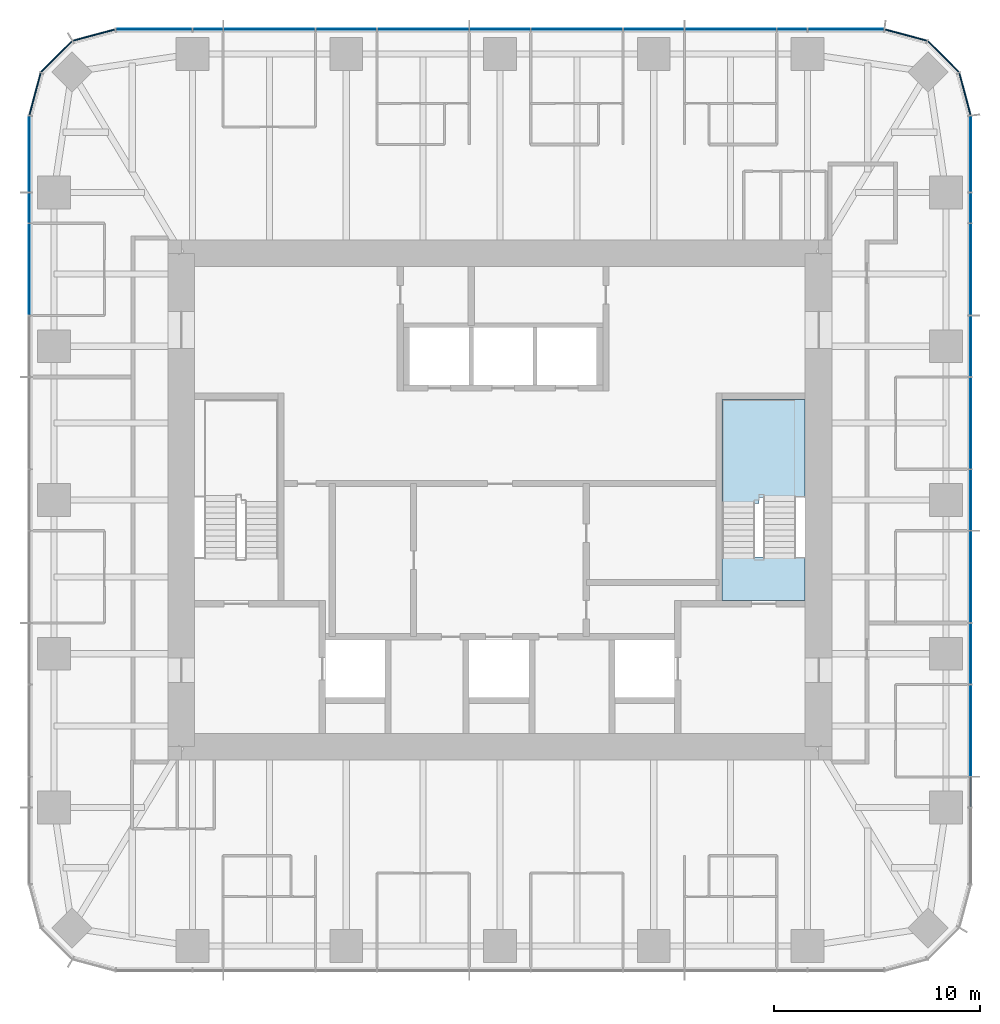
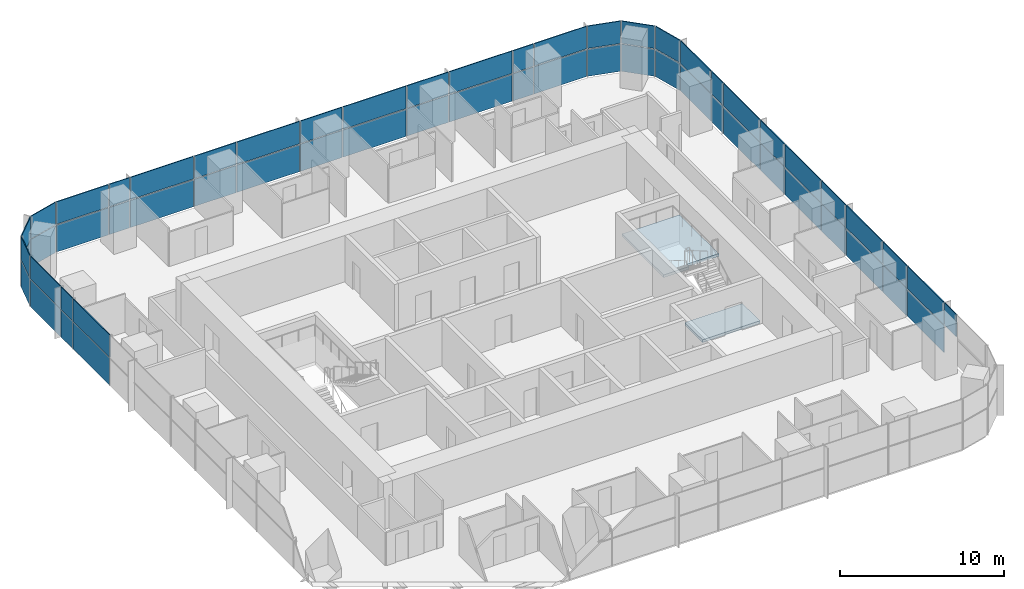
# One storey, part 8 of 13: 59 plates, 2 slabs, 6 elements without a shape of their own.
"""IFC4 building model written with IfcOpenShell, lengths in metres."""

from ifc_helpers import new_model, si_unit, direction, frame, origin, origin_2d, place, context, subcontext, project, spatial, polyline, rectangle, outline, extrude, material, layer, layer_set, type_object, element, aggregate, save


model = new_model("IFC4")

# Units and contexts
model_context = context("Model", 3, precision=1e-05, world=origin(), true_north=direction((0.0, 1.0)))
body_context = subcontext(model_context, "Body", "Model", "MODEL_VIEW")
ifc_project = project(units=[si_unit("LENGTHUNIT", "METRE"), si_unit("AREAUNIT", "SQUARE_METRE"), si_unit("VOLUMEUNIT", "CUBIC_METRE"), si_unit("PLANEANGLEUNIT", "RADIAN"), si_unit("MASSUNIT", "GRAM", prefix="KILO")], contexts=[model_context])

# Site, building, storey
site_placement = place(None, origin())
site = spatial("IfcSite", under=ifc_project, at=site_placement, CompositionType="ELEMENT")
building_placement = place(site_placement, origin())
building = spatial("IfcBuilding", under=site, at=building_placement, Name="Khuree Lantern Residences", CompositionType="ELEMENT")
storey_placement = place(building_placement, frame((0.0, 0.0, 349.5)))
storey = spatial("IfcBuildingStorey", under=building, at=storey_placement, Name="L88", CompositionType="ELEMENT", Elevation=349.5)

# Curtain wall, plates
ifc_material_1 = material(Name="Bronze anodised aluminium", Category="aluminium")
curtain_wall_type_1 = type_object("IfcCurtainWallType", Name="CW-T2 TOWER CORNER CURTAIN WALL", PredefinedType="USERDEFINED", material=ifc_material_1)
curtain_wall_1_placement = place(storey_placement, origin())
curtain_wall_1 = element("IfcCurtainWall", 1, at=curtain_wall_1_placement, inside=storey, type_object=curtain_wall_type_1, Name="L88 NORTH-EAST CORNER CURTAIN WALL", ObjectType="Faceted corner curtain wall", PredefinedType="USERDEFINED")
ifc_material_2 = material(Name="Bronze tinted triple glazing", Category="glass")
ifc_layer_1 = layer(ifc_material_2, 0.048095703125)
ifc_layer_set_1 = layer_set([ifc_layer_1], Name="FACET PANEL P4")
plate_type_1 = type_object("IfcPlateType", Name="FACET PANEL P4", PredefinedType="CURTAIN_PANEL", material=ifc_layer_set_1)
plate_1_placement = place(storey_placement, frame((22.619140625, 19.748046875, 0.0), z_axis=(0.0, 0.0, 1.0), x_axis=(-0.2588189146, 0.965925861257, 0.0)))
plate_1 = element("IfcPlate", 2, at=plate_1_placement, type_object=plate_type_1, Name="L88 NORTH-EAST CORNER PANEL 15.1", PredefinedType="CURTAIN_PANEL", context=body_context, shape_type="SweptSolid", body=[
    extrude(rectangle(XDim=2.09814453125, YDim=0.048095703125, at=origin_2d()), origin(), (0.0, 0.0, 1.0), 2.017578125),
])
plate_2_placement = place(storey_placement, frame((21.568603515625, 21.568603515625, 0.0), z_axis=(0.0, 0.0, 1.0), x_axis=(-0.707106781187, 0.707106781187, 0.0)))
plate_2 = element("IfcPlate", 3, at=plate_2_placement, type_object=plate_type_1, Name="L88 NORTH-EAST CORNER PANEL 16.1", PredefinedType="CURTAIN_PANEL", context=body_context, shape_type="SweptSolid", body=[
    extrude(rectangle(XDim=2.093994140625, YDim=0.048095703125, at=origin_2d()), origin(), (0.0, 0.0, 1.0), 2.017578125),
])
plate_3_placement = place(storey_placement, frame((19.748046875, 22.619140625, 0.0), z_axis=(0.0, 0.0, 1.0), x_axis=(-0.965925861257, 0.2588189146, 0.0)))
plate_3 = element("IfcPlate", 4, at=plate_3_placement, type_object=plate_type_1, Name="L88 NORTH-EAST CORNER PANEL 17.1", PredefinedType="CURTAIN_PANEL", context=body_context, shape_type="SweptSolid", body=[
    extrude(rectangle(XDim=2.09814453125, YDim=0.048095703125, at=origin_2d()), origin(), (0.0, 0.0, 1.0), 2.017578125),
])

curtain_wall_2_placement = place(storey_placement, origin())
curtain_wall_2 = element("IfcCurtainWall", 5, at=curtain_wall_2_placement, inside=storey, type_object=curtain_wall_type_1, Name="L88 NORTH-WEST CORNER CURTAIN WALL", ObjectType="Faceted corner curtain wall", PredefinedType="USERDEFINED")
plate_4_placement = place(storey_placement, frame((-19.748046875, 22.619140625, 0.0), z_axis=(0.0, 0.0, 1.0), x_axis=(-0.965925861257, -0.2588189146, 0.0)))
plate_4 = element("IfcPlate", 6, at=plate_4_placement, type_object=plate_type_1, Name="L88 NORTH-WEST CORNER PANEL 29.1", PredefinedType="CURTAIN_PANEL", context=body_context, shape_type="SweptSolid", body=[
    extrude(rectangle(XDim=2.09814453125, YDim=0.048095703125, at=origin_2d()), origin(), (0.0, 0.0, 1.0), 2.017578125),
])
plate_5_placement = place(storey_placement, frame((-21.568603515625, 21.568603515625, 0.0), z_axis=(0.0, 0.0, 1.0), x_axis=(-0.707106781187, -0.707106781187, 0.0)))
plate_5 = element("IfcPlate", 7, at=plate_5_placement, type_object=plate_type_1, Name="L88 NORTH-WEST CORNER PANEL 30.1", PredefinedType="CURTAIN_PANEL", context=body_context, shape_type="SweptSolid", body=[
    extrude(rectangle(XDim=2.093994140625, YDim=0.048095703125, at=origin_2d()), origin(), (0.0, 0.0, 1.0), 2.017578125),
])
plate_6_placement = place(storey_placement, frame((-22.619140625, 19.748046875, 0.0), z_axis=(0.0, 0.0, 1.0), x_axis=(-0.2588189146, -0.965925861257, 0.0)))
plate_6 = element("IfcPlate", 8, at=plate_6_placement, type_object=plate_type_1, Name="L88 NORTH-WEST CORNER PANEL 31.1", PredefinedType="CURTAIN_PANEL", context=body_context, shape_type="SweptSolid", body=[
    extrude(rectangle(XDim=2.09814453125, YDim=0.048095703125, at=origin_2d()), origin(), (0.0, 0.0, 1.0), 2.017578125),
])

curtain_wall_type_2 = type_object("IfcCurtainWallType", Name="CW-T1 TOWER FACE CURTAIN WALL", PredefinedType="USERDEFINED", material=ifc_material_1)
curtain_wall_3_placement = place(storey_placement, origin())
curtain_wall_3 = element("IfcCurtainWall", 9, at=curtain_wall_3_placement, inside=storey, type_object=curtain_wall_type_2, Name="L88 EAST FACE CURTAIN WALL", ObjectType="Stick-built curtain wall", PredefinedType="USERDEFINED")
ifc_material_3 = material(Name="Bronze tinted triple glazing with a ceramic-fritted spandrel band", Category="glass")
ifc_layer_2 = layer(ifc_material_3, 0.048095703125)
ifc_layer_set_2 = layer_set([ifc_layer_2], Name="FIXED LIGHT PANEL P11")
plate_type_2 = type_object("IfcPlateType", Name="FIXED LIGHT PANEL P11", PredefinedType="CURTAIN_PANEL", material=ifc_layer_set_2)
plate_7_placement = place(storey_placement, frame((22.89990234375, -11.219970703125, 0.0), z_axis=(0.0, 0.0, 1.0), x_axis=(0.0, 1.0, 0.0)))
plate_7 = element("IfcPlate", 10, at=plate_7_placement, type_object=plate_type_2, Name="L88 EAST FACE PANEL 6.1", PredefinedType="CURTAIN_PANEL", context=body_context, shape_type="SweptSolid", body=[
    extrude(rectangle(XDim=4.423095703125, YDim=0.048095703125, at=origin_2d()), origin(), (0.0, 0.0, 1.0), 2.017578125),
])
plate_8_placement = place(storey_placement, frame((22.89990234375, -3.739990234375, 0.0), z_axis=(0.0, 0.0, 1.0), x_axis=(0.0, 1.0, 0.0)))
plate_8 = element("IfcPlate", 11, at=plate_8_placement, type_object=plate_type_2, Name="L88 EAST FACE PANEL 8.1", PredefinedType="CURTAIN_PANEL", context=body_context, shape_type="SweptSolid", body=[
    extrude(rectangle(XDim=4.423095703125, YDim=0.048095703125, at=origin_2d()), origin(), (0.0, 0.0, 1.0), 2.017578125),
])
plate_9_placement = place(storey_placement, frame((22.89990234375, 3.739990234375, 0.0), z_axis=(0.0, 0.0, 1.0), x_axis=(0.0, 1.0, 0.0)))
plate_9 = element("IfcPlate", 12, at=plate_9_placement, type_object=plate_type_2, Name="L88 EAST FACE PANEL 10.1", PredefinedType="CURTAIN_PANEL", context=body_context, shape_type="SweptSolid", body=[
    extrude(rectangle(XDim=4.423095703125, YDim=0.048095703125, at=origin_2d()), origin(), (0.0, 0.0, 1.0), 2.017578125),
])
plate_10_placement = place(storey_placement, frame((22.89990234375, 11.219970703125, 0.0), z_axis=(0.0, 0.0, 1.0), x_axis=(0.0, 1.0, 0.0)))
plate_10 = element("IfcPlate", 13, at=plate_10_placement, type_object=plate_type_2, Name="L88 EAST FACE PANEL 12.1", PredefinedType="CURTAIN_PANEL", context=body_context, shape_type="SweptSolid", body=[
    extrude(rectangle(XDim=4.423095703125, YDim=0.048095703125, at=origin_2d()), origin(), (0.0, 0.0, 1.0), 2.017578125),
])

curtain_wall_4_placement = place(storey_placement, origin())
curtain_wall_4 = element("IfcCurtainWall", 14, at=curtain_wall_4_placement, inside=storey, type_object=curtain_wall_type_2, Name="L88 NORTH FACE CURTAIN WALL", ObjectType="Stick-built curtain wall", PredefinedType="USERDEFINED")
plate_11_placement = place(storey_placement, frame((11.219970703125, 22.89990234375, 0.0), z_axis=(0.0, 0.0, 1.0), x_axis=(-1.0, 0.0, 0.0)))
plate_11 = element("IfcPlate", 15, at=plate_11_placement, type_object=plate_type_2, Name="L88 NORTH FACE PANEL 20.1", PredefinedType="CURTAIN_PANEL", context=body_context, shape_type="SweptSolid", body=[
    extrude(rectangle(XDim=4.423095703125, YDim=0.048095703125, at=origin_2d()), origin(), (0.0, 0.0, 1.0), 2.017578125),
])
plate_12_placement = place(storey_placement, frame((3.739990234375, 22.89990234375, 0.0), z_axis=(0.0, 0.0, 1.0), x_axis=(-1.0, 0.0, 0.0)))
plate_12 = element("IfcPlate", 16, at=plate_12_placement, type_object=plate_type_2, Name="L88 NORTH FACE PANEL 22.1", PredefinedType="CURTAIN_PANEL", context=body_context, shape_type="SweptSolid", body=[
    extrude(rectangle(XDim=4.423095703125, YDim=0.048095703125, at=origin_2d()), origin(), (0.0, 0.0, 1.0), 2.017578125),
])
plate_13_placement = place(storey_placement, frame((-3.739990234375, 22.89990234375, 0.0), z_axis=(0.0, 0.0, 1.0), x_axis=(-1.0, 0.0, 0.0)))
plate_13 = element("IfcPlate", 17, at=plate_13_placement, type_object=plate_type_2, Name="L88 NORTH FACE PANEL 24.1", PredefinedType="CURTAIN_PANEL", context=body_context, shape_type="SweptSolid", body=[
    extrude(rectangle(XDim=4.423095703125, YDim=0.048095703125, at=origin_2d()), origin(), (0.0, 0.0, 1.0), 2.017578125),
])
plate_14_placement = place(storey_placement, frame((-11.219970703125, 22.89990234375, 0.0), z_axis=(0.0, 0.0, 1.0), x_axis=(-1.0, 0.0, 0.0)))
plate_14 = element("IfcPlate", 18, at=plate_14_placement, type_object=plate_type_2, Name="L88 NORTH FACE PANEL 26.1", PredefinedType="CURTAIN_PANEL", context=body_context, shape_type="SweptSolid", body=[
    extrude(rectangle(XDim=4.423095703125, YDim=0.048095703125, at=origin_2d()), origin(), (0.0, 0.0, 1.0), 2.017578125),
])

# Curtain wall, plate
curtain_wall_5_placement = place(storey_placement, origin())
curtain_wall_5 = element("IfcCurtainWall", 19, at=curtain_wall_5_placement, inside=storey, type_object=curtain_wall_type_2, Name="L88 WEST FACE CURTAIN WALL", ObjectType="Stick-built curtain wall", PredefinedType="USERDEFINED")
plate_15_placement = place(storey_placement, frame((-22.89990234375, 11.219970703125, 0.0), z_axis=(0.0, 0.0, 1.0), x_axis=(0.0, -1.0, 0.0)))
plate_15 = element("IfcPlate", 20, at=plate_15_placement, type_object=plate_type_2, Name="L88 WEST FACE PANEL 34.1", PredefinedType="CURTAIN_PANEL", context=body_context, shape_type="SweptSolid", body=[
    extrude(rectangle(XDim=4.423095703125, YDim=0.048095703125, at=origin_2d()), origin(), (0.0, 0.0, 1.0), 2.017578125),
])

# Plate
ifc_material_4 = material(Name="Bronze tinted triple glazing, two aluminium-framed sashes in one frame", Category="aluminium")
ifc_layer_3 = layer(ifc_material_4, 0.048095703125)
ifc_layer_set_3 = layer_set([ifc_layer_3], Name="SASH PAIR PANEL P12")
plate_type_3 = type_object("IfcPlateType", Name="SASH PAIR PANEL P12", PredefinedType="CURTAIN_PANEL", material=ifc_layer_set_3)
plate_16_placement = place(storey_placement, frame((22.89990234375, -7.47998046875, 0.0), z_axis=(0.0, 0.0, 1.0), x_axis=(0.0, 1.0, 0.0)))
plate_16 = element("IfcPlate", 21, at=plate_16_placement, type_object=plate_type_3, Name="L88 EAST FACE PANEL 7.1", PredefinedType="CURTAIN_PANEL", context=body_context, shape_type="SweptSolid", body=[
    extrude(rectangle(XDim=2.927001953125, YDim=0.048095703125, at=origin_2d()), origin(), (0.0, 0.0, 1.0), 2.017578125),
])

plate_17_placement = place(storey_placement, frame((22.89990234375, 0.0, 0.0), z_axis=(0.0, 0.0, 1.0), x_axis=(0.0, 1.0, 0.0)))
plate_17 = element("IfcPlate", 22, at=plate_17_placement, type_object=plate_type_3, Name="L88 EAST FACE PANEL 9.1", PredefinedType="CURTAIN_PANEL", context=body_context, shape_type="SweptSolid", body=[
    extrude(rectangle(XDim=2.927001953125, YDim=0.048095703125, at=origin_2d()), origin(), (0.0, 0.0, 1.0), 2.017578125),
])

plate_18_placement = place(storey_placement, frame((22.89990234375, 7.47998046875, 0.0), z_axis=(0.0, 0.0, 1.0), x_axis=(0.0, 1.0, 0.0)))
plate_18 = element("IfcPlate", 23, at=plate_18_placement, type_object=plate_type_3, Name="L88 EAST FACE PANEL 11.1", PredefinedType="CURTAIN_PANEL", context=body_context, shape_type="SweptSolid", body=[
    extrude(rectangle(XDim=2.927001953125, YDim=0.048095703125, at=origin_2d()), origin(), (0.0, 0.0, 1.0), 2.017578125),
])

plate_19_placement = place(storey_placement, frame((7.47998046875, 22.89990234375, 0.0), z_axis=(0.0, 0.0, 1.0), x_axis=(-1.0, 0.0, 0.0)))
plate_19 = element("IfcPlate", 24, at=plate_19_placement, type_object=plate_type_3, Name="L88 NORTH FACE PANEL 21.1", PredefinedType="CURTAIN_PANEL", context=body_context, shape_type="SweptSolid", body=[
    extrude(rectangle(XDim=2.927001953125, YDim=0.048095703125, at=origin_2d()), origin(), (0.0, 0.0, 1.0), 2.017578125),
])

plate_20_placement = place(storey_placement, frame((0.0, 22.89990234375, 0.0), z_axis=(0.0, 0.0, 1.0), x_axis=(-1.0, 0.0, 0.0)))
plate_20 = element("IfcPlate", 25, at=plate_20_placement, type_object=plate_type_3, Name="L88 NORTH FACE PANEL 23.1", PredefinedType="CURTAIN_PANEL", context=body_context, shape_type="SweptSolid", body=[
    extrude(rectangle(XDim=2.927001953125, YDim=0.048095703125, at=origin_2d()), origin(), (0.0, 0.0, 1.0), 2.017578125),
])

plate_21_placement = place(storey_placement, frame((-7.47998046875, 22.89990234375, 0.0), z_axis=(0.0, 0.0, 1.0), x_axis=(-1.0, 0.0, 0.0)))
plate_21 = element("IfcPlate", 26, at=plate_21_placement, type_object=plate_type_3, Name="L88 NORTH FACE PANEL 25.1", PredefinedType="CURTAIN_PANEL", context=body_context, shape_type="SweptSolid", body=[
    extrude(rectangle(XDim=2.927001953125, YDim=0.048095703125, at=origin_2d()), origin(), (0.0, 0.0, 1.0), 2.017578125),
])

ifc_material_5 = material(Name="Bronze tinted triple glazing, aluminium-framed sash", Category="aluminium")
ifc_layer_4 = layer(ifc_material_5, 0.048095703125)
ifc_layer_set_4 = layer_set([ifc_layer_4], Name="SASH PANEL P3")
plate_type_4 = type_object("IfcPlateType", Name="SASH PANEL P3", PredefinedType="CURTAIN_PANEL", material=ifc_layer_set_4)
plate_22_placement = place(storey_placement, frame((22.89990234375, 14.2119140625, 0.0), z_axis=(0.0, 0.0, 1.0), x_axis=(0.0, 1.0, 0.0)))
plate_22 = element("IfcPlate", 27, at=plate_22_placement, type_object=plate_type_4, Name="L88 EAST FACE PANEL 13.1", PredefinedType="CURTAIN_PANEL", context=body_context, shape_type="SweptSolid", body=[
    extrude(rectangle(XDim=1.430908203125, YDim=0.048095703125, at=origin_2d()), origin(), (0.0, 0.0, 1.0), 2.017578125),
])

plate_23_placement = place(storey_placement, frame((14.2119140625, 22.89990234375, 0.0), z_axis=(0.0, 0.0, 1.0), x_axis=(-1.0, 0.0, 0.0)))
plate_23 = element("IfcPlate", 28, at=plate_23_placement, type_object=plate_type_4, Name="L88 NORTH FACE PANEL 19.1", PredefinedType="CURTAIN_PANEL", context=body_context, shape_type="SweptSolid", body=[
    extrude(rectangle(XDim=1.430908203125, YDim=0.048095703125, at=origin_2d()), origin(), (0.0, 0.0, 1.0), 2.017578125),
])

plate_24_placement = place(storey_placement, frame((-14.2119140625, 22.89990234375, 0.0), z_axis=(0.0, 0.0, 1.0), x_axis=(-1.0, 0.0, 0.0)))
plate_24 = element("IfcPlate", 29, at=plate_24_placement, type_object=plate_type_4, Name="L88 NORTH FACE PANEL 27.1", PredefinedType="CURTAIN_PANEL", context=body_context, shape_type="SweptSolid", body=[
    extrude(rectangle(XDim=1.430908203125, YDim=0.048095703125, at=origin_2d()), origin(), (0.0, 0.0, 1.0), 2.017578125),
])

plate_25_placement = place(storey_placement, frame((-22.89990234375, 14.2119140625, 0.0), z_axis=(0.0, 0.0, 1.0), x_axis=(0.0, -1.0, 0.0)))
plate_25 = element("IfcPlate", 30, at=plate_25_placement, type_object=plate_type_4, Name="L88 WEST FACE PANEL 33.1", PredefinedType="CURTAIN_PANEL", context=body_context, shape_type="SweptSolid", body=[
    extrude(rectangle(XDim=1.430908203125, YDim=0.048095703125, at=origin_2d()), origin(), (0.0, 0.0, 1.0), 2.017578125),
])

ifc_material_6 = material(Name="Bronze anodised aluminium insulated spandrel", Category="aluminium")
ifc_layer_5 = layer(ifc_material_6, 0.06005859375)
ifc_layer_set_5 = layer_set([ifc_layer_5], Name="SPANDREL PANEL P2")
plate_type_5 = type_object("IfcPlateType", Name="SPANDREL PANEL P2", PredefinedType="CURTAIN_PANEL", material=ifc_layer_set_5)
plate_26_placement = place(storey_placement, frame((22.89990234375, -14.2119140625, 2.08251953125), z_axis=(0.0, 0.0, 1.0), x_axis=(0.0, 1.0, 0.0)))
plate_26 = element("IfcPlate", 31, at=plate_26_placement, type_object=plate_type_5, Name="L88 EAST FACE PANEL 5.2", PredefinedType="CURTAIN_PANEL", context=body_context, shape_type="SweptSolid", body=[
    extrude(rectangle(XDim=1.430908203125, YDim=0.06005859375, at=origin_2d()), origin(), (0.0, 0.0, 1.0), 1.66748046875),
])

plate_27_placement = place(storey_placement, frame((22.89990234375, -11.219970703125, 2.08251953125), z_axis=(0.0, 0.0, 1.0), x_axis=(0.0, 1.0, 0.0)))
plate_27 = element("IfcPlate", 32, at=plate_27_placement, type_object=plate_type_5, Name="L88 EAST FACE PANEL 6.2", PredefinedType="CURTAIN_PANEL", context=body_context, shape_type="SweptSolid", body=[
    extrude(rectangle(XDim=4.423095703125, YDim=0.06005859375, at=origin_2d()), origin(), (0.0, 0.0, 1.0), 1.66748046875),
])

plate_28_placement = place(storey_placement, frame((22.89990234375, -7.47998046875, 2.08251953125), z_axis=(0.0, 0.0, 1.0), x_axis=(0.0, 1.0, 0.0)))
plate_28 = element("IfcPlate", 33, at=plate_28_placement, type_object=plate_type_5, Name="L88 EAST FACE PANEL 7.2", PredefinedType="CURTAIN_PANEL", context=body_context, shape_type="SweptSolid", body=[
    extrude(rectangle(XDim=2.927001953125, YDim=0.06005859375, at=origin_2d()), origin(), (0.0, 0.0, 1.0), 1.66748046875),
])

plate_29_placement = place(storey_placement, frame((22.89990234375, -3.739990234375, 2.08251953125), z_axis=(0.0, 0.0, 1.0), x_axis=(0.0, 1.0, 0.0)))
plate_29 = element("IfcPlate", 34, at=plate_29_placement, type_object=plate_type_5, Name="L88 EAST FACE PANEL 8.2", PredefinedType="CURTAIN_PANEL", context=body_context, shape_type="SweptSolid", body=[
    extrude(rectangle(XDim=4.423095703125, YDim=0.06005859375, at=origin_2d()), origin(), (0.0, 0.0, 1.0), 1.66748046875),
])

plate_30_placement = place(storey_placement, frame((22.89990234375, 0.0, 2.08251953125), z_axis=(0.0, 0.0, 1.0), x_axis=(0.0, 1.0, 0.0)))
plate_30 = element("IfcPlate", 35, at=plate_30_placement, type_object=plate_type_5, Name="L88 EAST FACE PANEL 9.2", PredefinedType="CURTAIN_PANEL", context=body_context, shape_type="SweptSolid", body=[
    extrude(rectangle(XDim=2.927001953125, YDim=0.06005859375, at=origin_2d()), origin(), (0.0, 0.0, 1.0), 1.66748046875),
])

plate_31_placement = place(storey_placement, frame((22.89990234375, 3.739990234375, 2.08251953125), z_axis=(0.0, 0.0, 1.0), x_axis=(0.0, 1.0, 0.0)))
plate_31 = element("IfcPlate", 36, at=plate_31_placement, type_object=plate_type_5, Name="L88 EAST FACE PANEL 10.2", PredefinedType="CURTAIN_PANEL", context=body_context, shape_type="SweptSolid", body=[
    extrude(rectangle(XDim=4.423095703125, YDim=0.06005859375, at=origin_2d()), origin(), (0.0, 0.0, 1.0), 1.66748046875),
])

plate_32_placement = place(storey_placement, frame((22.89990234375, 7.47998046875, 2.08251953125), z_axis=(0.0, 0.0, 1.0), x_axis=(0.0, 1.0, 0.0)))
plate_32 = element("IfcPlate", 37, at=plate_32_placement, type_object=plate_type_5, Name="L88 EAST FACE PANEL 11.2", PredefinedType="CURTAIN_PANEL", context=body_context, shape_type="SweptSolid", body=[
    extrude(rectangle(XDim=2.927001953125, YDim=0.06005859375, at=origin_2d()), origin(), (0.0, 0.0, 1.0), 1.66748046875),
])

plate_33_placement = place(storey_placement, frame((22.89990234375, 11.219970703125, 2.08251953125), z_axis=(0.0, 0.0, 1.0), x_axis=(0.0, 1.0, 0.0)))
plate_33 = element("IfcPlate", 38, at=plate_33_placement, type_object=plate_type_5, Name="L88 EAST FACE PANEL 12.2", PredefinedType="CURTAIN_PANEL", context=body_context, shape_type="SweptSolid", body=[
    extrude(rectangle(XDim=4.423095703125, YDim=0.06005859375, at=origin_2d()), origin(), (0.0, 0.0, 1.0), 1.66748046875),
])

plate_34_placement = place(storey_placement, frame((22.89990234375, 14.2119140625, 2.08251953125), z_axis=(0.0, 0.0, 1.0), x_axis=(0.0, 1.0, 0.0)))
plate_34 = element("IfcPlate", 39, at=plate_34_placement, type_object=plate_type_5, Name="L88 EAST FACE PANEL 13.2", PredefinedType="CURTAIN_PANEL", context=body_context, shape_type="SweptSolid", body=[
    extrude(rectangle(XDim=1.430908203125, YDim=0.06005859375, at=origin_2d()), origin(), (0.0, 0.0, 1.0), 1.66748046875),
])

plate_35_placement = place(storey_placement, frame((22.89990234375, 16.827880859375, 2.08251953125), z_axis=(0.0, 0.0, 1.0), x_axis=(0.0, 1.0, 0.0)))
plate_35 = element("IfcPlate", 40, at=plate_35_placement, type_object=plate_type_5, Name="L88 EAST FACE PANEL 14.2", PredefinedType="CURTAIN_PANEL", context=body_context, shape_type="SweptSolid", body=[
    extrude(rectangle(XDim=3.670654296875, YDim=0.06005859375, at=origin_2d()), origin(), (0.0, 0.0, 1.0), 1.66748046875),
])

plate_36_placement = place(storey_placement, frame((22.619384765625, 19.74755859375, 2.08251953125), z_axis=(0.0, 0.0, 1.0), x_axis=(-0.2588189146, 0.965925861257, 0.0)))
plate_36 = element("IfcPlate", 41, at=plate_36_placement, type_object=plate_type_5, Name="L88 NORTH-EAST CORNER PANEL 15.2", PredefinedType="CURTAIN_PANEL", context=body_context, shape_type="SweptSolid", body=[
    extrude(rectangle(XDim=2.095703125, YDim=0.06005859375, at=origin_2d()), origin(), (0.0, 0.0, 1.0), 1.66748046875),
])

plate_37_placement = place(storey_placement, frame((21.568603515625, 21.568603515625, 2.08251953125), z_axis=(0.0, 0.0, 1.0), x_axis=(-0.707106781187, 0.707106781187, 0.0)))
plate_37 = element("IfcPlate", 42, at=plate_37_placement, type_object=plate_type_5, Name="L88 NORTH-EAST CORNER PANEL 16.2", PredefinedType="CURTAIN_PANEL", context=body_context, shape_type="SweptSolid", body=[
    extrude(rectangle(XDim=2.0908203125, YDim=0.06005859375, at=origin_2d()), origin(), (0.0, 0.0, 1.0), 1.66748046875),
])

plate_38_placement = place(storey_placement, frame((19.74755859375, 22.619384765625, 2.08251953125), z_axis=(0.0, 0.0, 1.0), x_axis=(-0.965925861257, 0.2588189146, 0.0)))
plate_38 = element("IfcPlate", 43, at=plate_38_placement, type_object=plate_type_5, Name="L88 NORTH-EAST CORNER PANEL 17.2", PredefinedType="CURTAIN_PANEL", context=body_context, shape_type="SweptSolid", body=[
    extrude(rectangle(XDim=2.095703125, YDim=0.06005859375, at=origin_2d()), origin(), (0.0, 0.0, 1.0), 1.66748046875),
])

aggregate(curtain_wall_1, [plate_1, plate_36, plate_2, plate_37, plate_3, plate_38])

plate_39_placement = place(storey_placement, frame((16.827880859375, 22.89990234375, 2.08251953125), z_axis=(0.0, 0.0, 1.0), x_axis=(-1.0, 0.0, 0.0)))
plate_39 = element("IfcPlate", 44, at=plate_39_placement, type_object=plate_type_5, Name="L88 NORTH FACE PANEL 18.2", PredefinedType="CURTAIN_PANEL", context=body_context, shape_type="SweptSolid", body=[
    extrude(rectangle(XDim=3.670654296875, YDim=0.06005859375, at=origin_2d()), origin(), (0.0, 0.0, 1.0), 1.66748046875),
])

plate_40_placement = place(storey_placement, frame((14.2119140625, 22.89990234375, 2.08251953125), z_axis=(0.0, 0.0, 1.0), x_axis=(-1.0, 0.0, 0.0)))
plate_40 = element("IfcPlate", 45, at=plate_40_placement, type_object=plate_type_5, Name="L88 NORTH FACE PANEL 19.2", PredefinedType="CURTAIN_PANEL", context=body_context, shape_type="SweptSolid", body=[
    extrude(rectangle(XDim=1.430908203125, YDim=0.06005859375, at=origin_2d()), origin(), (0.0, 0.0, 1.0), 1.66748046875),
])

plate_41_placement = place(storey_placement, frame((11.219970703125, 22.89990234375, 2.08251953125), z_axis=(0.0, 0.0, 1.0), x_axis=(-1.0, 0.0, 0.0)))
plate_41 = element("IfcPlate", 46, at=plate_41_placement, type_object=plate_type_5, Name="L88 NORTH FACE PANEL 20.2", PredefinedType="CURTAIN_PANEL", context=body_context, shape_type="SweptSolid", body=[
    extrude(rectangle(XDim=4.423095703125, YDim=0.06005859375, at=origin_2d()), origin(), (0.0, 0.0, 1.0), 1.66748046875),
])

plate_42_placement = place(storey_placement, frame((7.47998046875, 22.89990234375, 2.08251953125), z_axis=(0.0, 0.0, 1.0), x_axis=(-1.0, 0.0, 0.0)))
plate_42 = element("IfcPlate", 47, at=plate_42_placement, type_object=plate_type_5, Name="L88 NORTH FACE PANEL 21.2", PredefinedType="CURTAIN_PANEL", context=body_context, shape_type="SweptSolid", body=[
    extrude(rectangle(XDim=2.927001953125, YDim=0.06005859375, at=origin_2d()), origin(), (0.0, 0.0, 1.0), 1.66748046875),
])

plate_43_placement = place(storey_placement, frame((3.739990234375, 22.89990234375, 2.08251953125), z_axis=(0.0, 0.0, 1.0), x_axis=(-1.0, 0.0, 0.0)))
plate_43 = element("IfcPlate", 48, at=plate_43_placement, type_object=plate_type_5, Name="L88 NORTH FACE PANEL 22.2", PredefinedType="CURTAIN_PANEL", context=body_context, shape_type="SweptSolid", body=[
    extrude(rectangle(XDim=4.423095703125, YDim=0.06005859375, at=origin_2d()), origin(), (0.0, 0.0, 1.0), 1.66748046875),
])

plate_44_placement = place(storey_placement, frame((0.0, 22.89990234375, 2.08251953125), z_axis=(0.0, 0.0, 1.0), x_axis=(-1.0, 0.0, 0.0)))
plate_44 = element("IfcPlate", 49, at=plate_44_placement, type_object=plate_type_5, Name="L88 NORTH FACE PANEL 23.2", PredefinedType="CURTAIN_PANEL", context=body_context, shape_type="SweptSolid", body=[
    extrude(rectangle(XDim=2.927001953125, YDim=0.06005859375, at=origin_2d()), origin(), (0.0, 0.0, 1.0), 1.66748046875),
])

plate_45_placement = place(storey_placement, frame((-3.739990234375, 22.89990234375, 2.08251953125), z_axis=(0.0, 0.0, 1.0), x_axis=(-1.0, 0.0, 0.0)))
plate_45 = element("IfcPlate", 50, at=plate_45_placement, type_object=plate_type_5, Name="L88 NORTH FACE PANEL 24.2", PredefinedType="CURTAIN_PANEL", context=body_context, shape_type="SweptSolid", body=[
    extrude(rectangle(XDim=4.423095703125, YDim=0.06005859375, at=origin_2d()), origin(), (0.0, 0.0, 1.0), 1.66748046875),
])

plate_46_placement = place(storey_placement, frame((-7.47998046875, 22.89990234375, 2.08251953125), z_axis=(0.0, 0.0, 1.0), x_axis=(-1.0, 0.0, 0.0)))
plate_46 = element("IfcPlate", 51, at=plate_46_placement, type_object=plate_type_5, Name="L88 NORTH FACE PANEL 25.2", PredefinedType="CURTAIN_PANEL", context=body_context, shape_type="SweptSolid", body=[
    extrude(rectangle(XDim=2.927001953125, YDim=0.06005859375, at=origin_2d()), origin(), (0.0, 0.0, 1.0), 1.66748046875),
])

plate_47_placement = place(storey_placement, frame((-11.219970703125, 22.89990234375, 2.08251953125), z_axis=(0.0, 0.0, 1.0), x_axis=(-1.0, 0.0, 0.0)))
plate_47 = element("IfcPlate", 52, at=plate_47_placement, type_object=plate_type_5, Name="L88 NORTH FACE PANEL 26.2", PredefinedType="CURTAIN_PANEL", context=body_context, shape_type="SweptSolid", body=[
    extrude(rectangle(XDim=4.423095703125, YDim=0.06005859375, at=origin_2d()), origin(), (0.0, 0.0, 1.0), 1.66748046875),
])

plate_48_placement = place(storey_placement, frame((-14.2119140625, 22.89990234375, 2.08251953125), z_axis=(0.0, 0.0, 1.0), x_axis=(-1.0, 0.0, 0.0)))
plate_48 = element("IfcPlate", 53, at=plate_48_placement, type_object=plate_type_5, Name="L88 NORTH FACE PANEL 27.2", PredefinedType="CURTAIN_PANEL", context=body_context, shape_type="SweptSolid", body=[
    extrude(rectangle(XDim=1.430908203125, YDim=0.06005859375, at=origin_2d()), origin(), (0.0, 0.0, 1.0), 1.66748046875),
])

plate_49_placement = place(storey_placement, frame((-16.827880859375, 22.89990234375, 2.08251953125), z_axis=(0.0, 0.0, 1.0), x_axis=(-1.0, 0.0, 0.0)))
plate_49 = element("IfcPlate", 54, at=plate_49_placement, type_object=plate_type_5, Name="L88 NORTH FACE PANEL 28.2", PredefinedType="CURTAIN_PANEL", context=body_context, shape_type="SweptSolid", body=[
    extrude(rectangle(XDim=3.670654296875, YDim=0.06005859375, at=origin_2d()), origin(), (0.0, 0.0, 1.0), 1.66748046875),
])

plate_50_placement = place(storey_placement, frame((-19.74755859375, 22.619384765625, 2.08251953125), z_axis=(0.0, 0.0, 1.0), x_axis=(-0.965925861257, -0.2588189146, 0.0)))
plate_50 = element("IfcPlate", 55, at=plate_50_placement, type_object=plate_type_5, Name="L88 NORTH-WEST CORNER PANEL 29.2", PredefinedType="CURTAIN_PANEL", context=body_context, shape_type="SweptSolid", body=[
    extrude(rectangle(XDim=2.095703125, YDim=0.06005859375, at=origin_2d()), origin(), (0.0, 0.0, 1.0), 1.66748046875),
])

plate_51_placement = place(storey_placement, frame((-21.568603515625, 21.568603515625, 2.08251953125), z_axis=(0.0, 0.0, 1.0), x_axis=(-0.707106781187, -0.707106781187, 0.0)))
plate_51 = element("IfcPlate", 56, at=plate_51_placement, type_object=plate_type_5, Name="L88 NORTH-WEST CORNER PANEL 30.2", PredefinedType="CURTAIN_PANEL", context=body_context, shape_type="SweptSolid", body=[
    extrude(rectangle(XDim=2.0908203125, YDim=0.06005859375, at=origin_2d()), origin(), (0.0, 0.0, 1.0), 1.66748046875),
])

plate_52_placement = place(storey_placement, frame((-22.619384765625, 19.74755859375, 2.08251953125), z_axis=(0.0, 0.0, 1.0), x_axis=(-0.2588189146, -0.965925861257, 0.0)))
plate_52 = element("IfcPlate", 57, at=plate_52_placement, type_object=plate_type_5, Name="L88 NORTH-WEST CORNER PANEL 31.2", PredefinedType="CURTAIN_PANEL", context=body_context, shape_type="SweptSolid", body=[
    extrude(rectangle(XDim=2.095703125, YDim=0.06005859375, at=origin_2d()), origin(), (0.0, 0.0, 1.0), 1.66748046875),
])

aggregate(curtain_wall_2, [plate_4, plate_50, plate_5, plate_51, plate_6, plate_52])

plate_53_placement = place(storey_placement, frame((-22.89990234375, 16.827880859375, 2.08251953125), z_axis=(0.0, 0.0, 1.0), x_axis=(0.0, -1.0, 0.0)))
plate_53 = element("IfcPlate", 58, at=plate_53_placement, type_object=plate_type_5, Name="L88 WEST FACE PANEL 32.2", PredefinedType="CURTAIN_PANEL", context=body_context, shape_type="SweptSolid", body=[
    extrude(rectangle(XDim=3.670654296875, YDim=0.06005859375, at=origin_2d()), origin(), (0.0, 0.0, 1.0), 1.66748046875),
])

plate_54_placement = place(storey_placement, frame((-22.89990234375, 14.2119140625, 2.08251953125), z_axis=(0.0, 0.0, 1.0), x_axis=(0.0, -1.0, 0.0)))
plate_54 = element("IfcPlate", 59, at=plate_54_placement, type_object=plate_type_5, Name="L88 WEST FACE PANEL 33.2", PredefinedType="CURTAIN_PANEL", context=body_context, shape_type="SweptSolid", body=[
    extrude(rectangle(XDim=1.430908203125, YDim=0.06005859375, at=origin_2d()), origin(), (0.0, 0.0, 1.0), 1.66748046875),
])

plate_55_placement = place(storey_placement, frame((-22.89990234375, 11.219970703125, 2.08251953125), z_axis=(0.0, 0.0, 1.0), x_axis=(0.0, -1.0, 0.0)))
plate_55 = element("IfcPlate", 60, at=plate_55_placement, type_object=plate_type_5, Name="L88 WEST FACE PANEL 34.2", PredefinedType="CURTAIN_PANEL", context=body_context, shape_type="SweptSolid", body=[
    extrude(rectangle(XDim=4.423095703125, YDim=0.06005859375, at=origin_2d()), origin(), (0.0, 0.0, 1.0), 1.66748046875),
])

# Stair, slabs
ifc_material_7 = material(Name="Concrete C40/50", Category="concrete")
stair_type = type_object("IfcStairType", Name="STAIR ST1 HALF TURN 3600", PredefinedType="HALF_TURN_STAIR", material=ifc_material_7)
stair_placement = place(storey_placement, origin())
stair = element("IfcStair", 61, at=stair_placement, inside=storey, type_object=stair_type, Name="Stair ST2", PredefinedType="HALF_TURN_STAIR")
ifc_layer_6 = layer(ifc_material_7, 0.199951171875)
ifc_layer_set_6 = layer_set([ifc_layer_6], Name="STAIR LANDING SL1 200")
slab_type = type_object("IfcSlabType", Name="STAIR LANDING SL1 200", PredefinedType="LANDING", material=ifc_layer_set_6)
slab_1_placement = place(storey_placement, frame((0.0, 0.0, -0.199951171875)))
slab_1 = element("IfcSlab", 62, at=slab_1_placement, type_object=slab_type, Name="ST2 landing 1", PredefinedType="LANDING", context=body_context, shape_type="SweptSolid", body=[
    extrude(outline(polyline([(10.800048828125, -4.89990234375), (14.85009765625, -4.89990234375), (14.85009765625, -2.760009765625), (10.800048828125, -2.760009765625), (10.800048828125, -4.89990234375)])), origin(), (0.0, 0.0, 1.0), 0.199951171875),
])
slab_2_placement = place(storey_placement, frame((0.0, 0.0, 1.756591796875)))
slab_2 = element("IfcSlab", 63, at=slab_2_placement, type_object=slab_type, Name="ST2 landing 2", PredefinedType="LANDING", context=body_context, shape_type="SweptSolid", body=[
    extrude(outline(polyline([(14.85009765625, 4.89990234375), (14.85009765625, 0.1201171875), (12.60009765625, 0.1201171875), (12.60009765625, -0.159912109375), (10.800048828125, -0.159912109375), (10.800048828125, 4.89990234375), (14.85009765625, 4.89990234375)])), origin(), (0.0, 0.0, 1.0), 0.199951171875),
])
aggregate(stair, [slab_1, slab_2])

# Plate
ifc_layer_7 = layer(ifc_material_2, 0.048095703125)
ifc_layer_set_7 = layer_set([ifc_layer_7], Name="VISION PANEL P1")
plate_type_6 = type_object("IfcPlateType", Name="VISION PANEL P1", PredefinedType="CURTAIN_PANEL", material=ifc_layer_set_7)
plate_56_placement = place(storey_placement, frame((22.89990234375, 16.828369140625, 0.0), z_axis=(0.0, 0.0, 1.0), x_axis=(0.0, 1.0, 0.0)))
plate_56 = element("IfcPlate", 64, at=plate_56_placement, type_object=plate_type_6, Name="L88 EAST FACE PANEL 14.1", PredefinedType="CURTAIN_PANEL", context=body_context, shape_type="SweptSolid", body=[
    extrude(rectangle(XDim=3.671630859375, YDim=0.048095703125, at=origin_2d()), origin(), (0.0, 0.0, 1.0), 2.017578125),
])

aggregate(curtain_wall_3, [plate_26, plate_7, plate_27, plate_16, plate_28, plate_8, plate_29, plate_17, plate_30, plate_9, plate_31, plate_18, plate_32, plate_10, plate_33, plate_22, plate_34, plate_56, plate_35])

plate_57_placement = place(storey_placement, frame((16.828369140625, 22.89990234375, 0.0), z_axis=(0.0, 0.0, 1.0), x_axis=(-1.0, 0.0, 0.0)))
plate_57 = element("IfcPlate", 65, at=plate_57_placement, type_object=plate_type_6, Name="L88 NORTH FACE PANEL 18.1", PredefinedType="CURTAIN_PANEL", context=body_context, shape_type="SweptSolid", body=[
    extrude(rectangle(XDim=3.671630859375, YDim=0.048095703125, at=origin_2d()), origin(), (0.0, 0.0, 1.0), 2.017578125),
])

plate_58_placement = place(storey_placement, frame((-16.828369140625, 22.89990234375, 0.0), z_axis=(0.0, 0.0, 1.0), x_axis=(-1.0, 0.0, 0.0)))
plate_58 = element("IfcPlate", 66, at=plate_58_placement, type_object=plate_type_6, Name="L88 NORTH FACE PANEL 28.1", PredefinedType="CURTAIN_PANEL", context=body_context, shape_type="SweptSolid", body=[
    extrude(rectangle(XDim=3.671630859375, YDim=0.048095703125, at=origin_2d()), origin(), (0.0, 0.0, 1.0), 2.017578125),
])

aggregate(curtain_wall_4, [plate_57, plate_39, plate_23, plate_40, plate_11, plate_41, plate_19, plate_42, plate_12, plate_43, plate_20, plate_44, plate_13, plate_45, plate_21, plate_46, plate_14, plate_47, plate_24, plate_48, plate_58, plate_49])

plate_59_placement = place(storey_placement, frame((-22.89990234375, 16.828369140625, 0.0), z_axis=(0.0, 0.0, 1.0), x_axis=(0.0, -1.0, 0.0)))
plate_59 = element("IfcPlate", 67, at=plate_59_placement, type_object=plate_type_6, Name="L88 WEST FACE PANEL 32.1", PredefinedType="CURTAIN_PANEL", context=body_context, shape_type="SweptSolid", body=[
    extrude(rectangle(XDim=3.671630859375, YDim=0.048095703125, at=origin_2d()), origin(), (0.0, 0.0, 1.0), 2.017578125),
])

aggregate(curtain_wall_5, [plate_59, plate_53, plate_25, plate_54, plate_15, plate_55])

save(model, "model.ifc")
